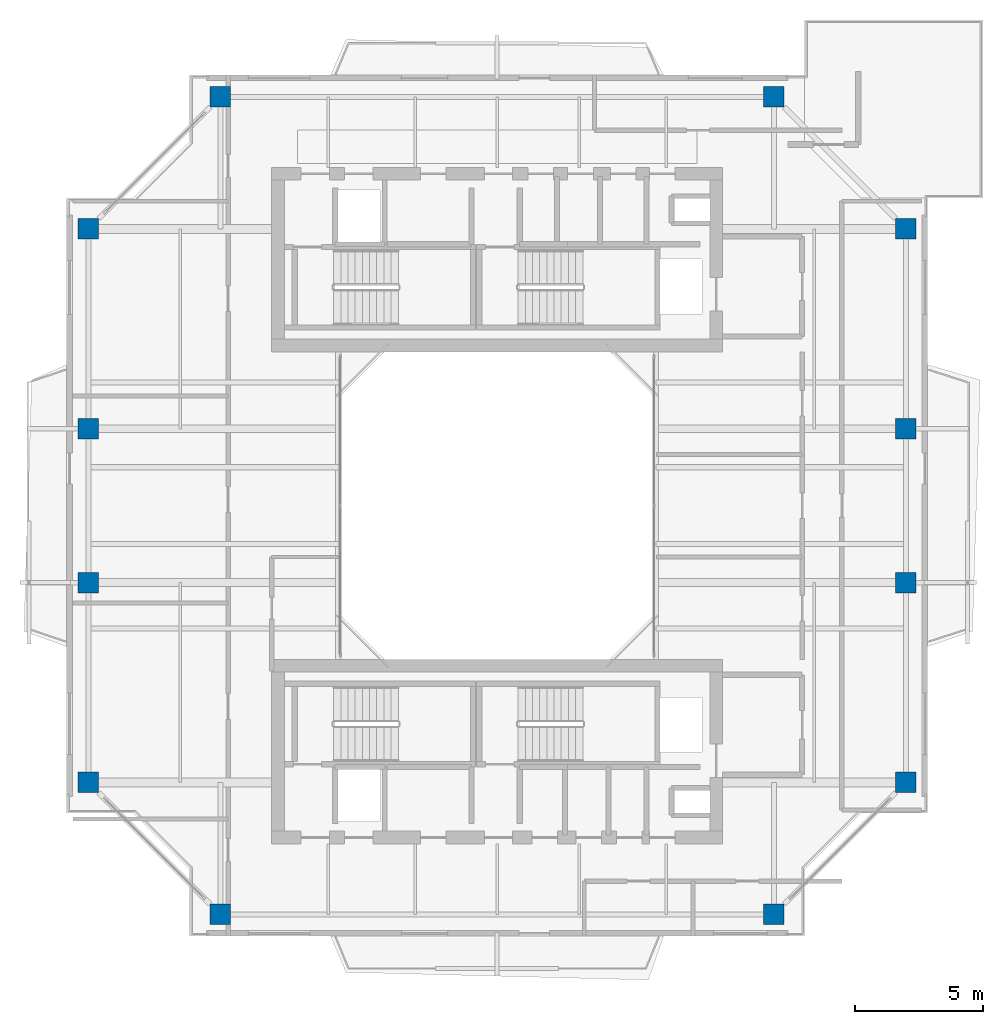
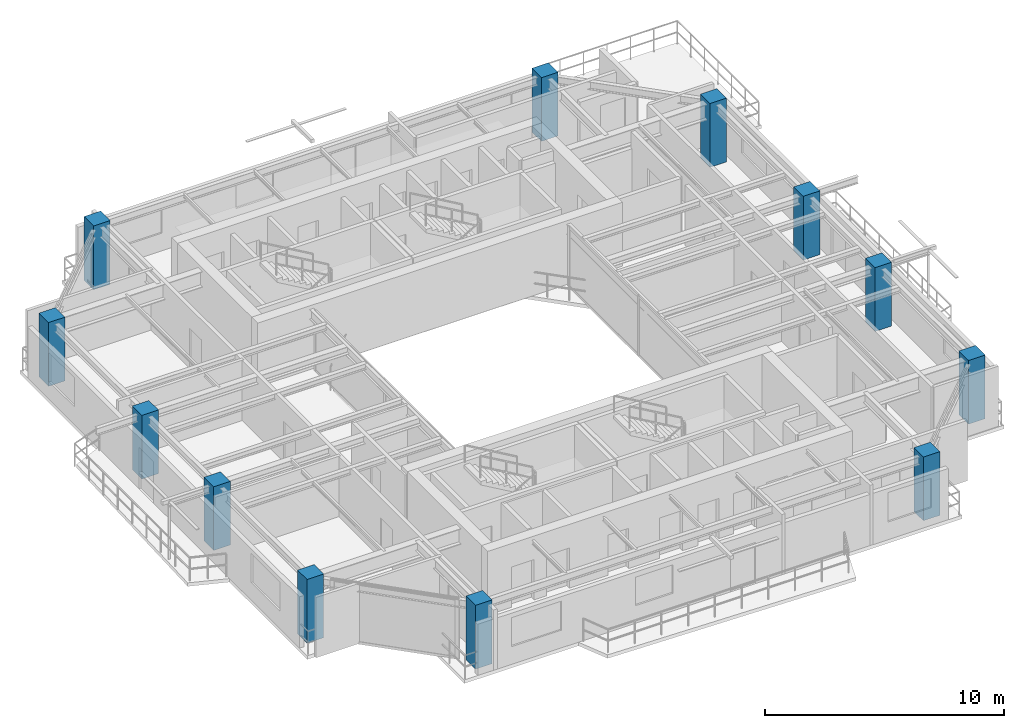
# One storey, part 1 of 16: 12 columns.
"""IFC4 building model written with IfcOpenShell, lengths in metres."""

from ifc_helpers import new_model, si_unit, direction, frame, origin, origin_2d, place, context, subcontext, project, spatial, rectangle, extrude, source, transform, mapped, material, material_profile, profile_set, type_object, element, save


model = new_model("IFC4")

# Units and contexts
model_context = context("Model", 3, precision=1e-05, world=origin(), true_north=direction((0.0, 1.0)))
body_context = subcontext(model_context, "Body", "Model", "MODEL_VIEW")
ifc_project = project(units=[si_unit("LENGTHUNIT", "METRE"), si_unit("AREAUNIT", "SQUARE_METRE"), si_unit("VOLUMEUNIT", "CUBIC_METRE"), si_unit("PLANEANGLEUNIT", "RADIAN"), si_unit("MASSUNIT", "GRAM", prefix="KILO"), si_unit("THERMODYNAMICTEMPERATUREUNIT", "KELVIN"), si_unit("POWERUNIT", "WATT")], contexts=[model_context])

# Site, building, storey
site_placement = place(None, origin())
site = spatial("IfcSite", under=ifc_project, at=site_placement, CompositionType="ELEMENT")
building_placement = place(site_placement, origin())
building = spatial("IfcBuilding", under=site, at=building_placement, Name="Qiaomeng Ring Towers", CompositionType="ELEMENT")
storey_placement = place(building_placement, frame((0.0, 0.0, 223.0)))
storey = spatial("IfcBuildingStorey", under=building, at=storey_placement, Name="L65", CompositionType="ELEMENT", Elevation=223.0)

# Columns
ifc_material = material(Name="Concrete C40", Category="concrete")
ifc_material_profile = material_profile(ifc_material, rectangle(XDim=0.800048828125, YDim=0.800048828125, at=origin_2d()), Name="RC COL 800x800")
ifc_profile_set = profile_set([ifc_material_profile], Name="Concrete C40")
column_type = type_object("IfcColumnType", Name="STR-COL-800-C40", PredefinedType="COLUMN", material=ifc_profile_set)
shared_shape = source(origin(), body_context, "Body", "SweptSolid", [
    extrude(rectangle(XDim=0.800048828125, YDim=0.800048828125, at=origin_2d()), origin(), (0.0, 0.0, 1.0), 3.25),
])
for number, where, z_axis, x_axis, name in (
    (1, (8.199951171875, 7.050048828125, 0.0), (0.0, 0.0, 1.0), (1.0, 0.0, 0.0), "L65 column STR-COL-L65-T1-S1"),
    (2, (29.800048828125, 7.050048828125, 0.0), (0.0, 0.0, 1.0), (1.0, 0.0, 0.0), "L65 column STR-COL-L65-T1-S2"),
    (3, (34.949951171875, 12.199951171875, 0.0), (0.0, 0.0, 1.0), (1.0, 0.0, 0.0), "L65 column STR-COL-L65-T1-E1"),
    (4, (34.949951171875, 20.0, 0.0), (0.0, 0.0, 1.0), (1.0, 0.0, 0.0), "L65 column STR-COL-L65-T1-E2"),
    (5, (34.949951171875, 26.0, 0.0), (0.0, 0.0, 1.0), (1.0, 0.0, 0.0), "L65 column STR-COL-L65-T1-E3"),
    (6, (34.949951171875, 33.800048828125, 0.0), (0.0, 0.0, 1.0), (1.0, 0.0, 0.0), "L65 column STR-COL-L65-T1-E4"),
    (7, (29.800048828125, 38.949951171875, 0.0), (0.0, 0.0, 1.0), (1.0, 0.0, 0.0), "L65 column STR-COL-L65-T1-N2"),
    (8, (8.199951171875, 38.949951171875, 0.0), (0.0, 0.0, 1.0), (1.0, 0.0, 0.0), "L65 column STR-COL-L65-T1-N1"),
    (9, (3.050048828125, 33.800048828125, 0.0), (0.0, 0.0, 1.0), (1.0, 0.0, 0.0), "L65 column STR-COL-L65-T1-W4"),
    (10, (3.050048828125, 26.0, 0.0), (0.0, 0.0, 1.0), (1.0, 0.0, 0.0), "L65 column STR-COL-L65-T1-W3"),
    (11, (3.050048828125, 20.0, 0.0), (0.0, 0.0, 1.0), (1.0, 0.0, 0.0), "L65 column STR-COL-L65-T1-W2"),
    (12, (3.050048828125, 12.199951171875, 0.0), (0.0, 0.0, 1.0), (1.0, 0.0, 0.0), "L65 column STR-COL-L65-T1-W1"),
):
    element("IfcColumn", number, at=place(storey_placement, frame(where, z_axis=z_axis, x_axis=x_axis)), inside=storey, type_object=column_type, Name=name, PredefinedType="COLUMN", context=body_context, shape_type="MappedRepresentation", body=[
        mapped(shared_shape, transform((0.0, 0.0, 0.0), x_axis=(1.0, 0.0, 0.0), y_axis=(0.0, 1.0, 0.0), z_axis=(0.0, 0.0, 1.0), scale=1.0)),
    ])

save(model, "model.ifc")
